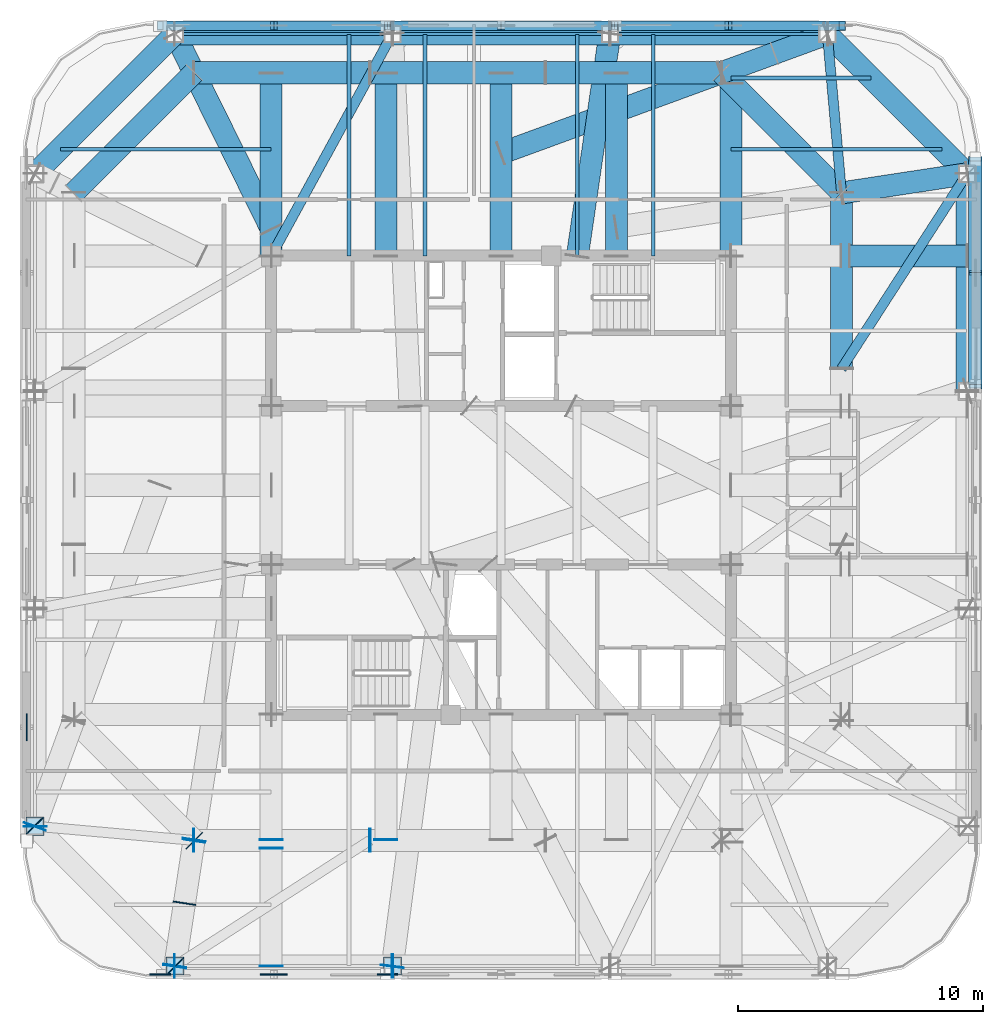
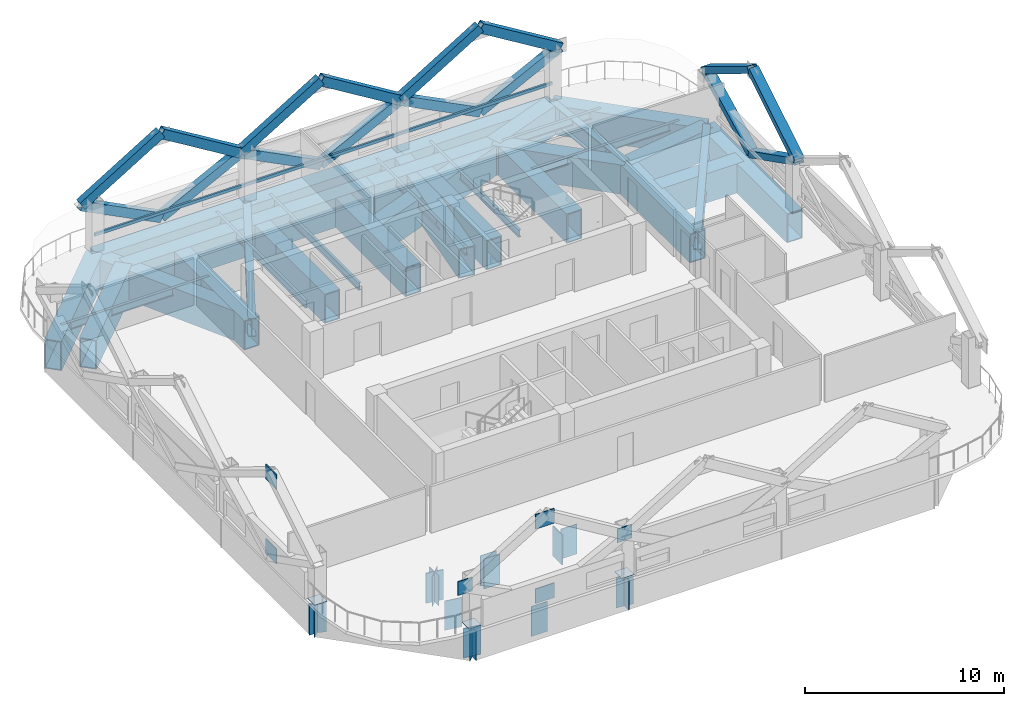
# One storey, part 3 of 11: 33 beams, 30 plates, 17 members.
"""IFC4 building model written with IfcOpenShell, lengths in metres."""

from ifc_helpers import new_model, si_unit, direction, frame, origin, origin_2d, place, context, subcontext, project, spatial, rectangle, hollow_rectangle, i_section, extrude, material, layer, layer_set, material_profile, profile_set, type_object, element, save


model = new_model("IFC4")

# Units and contexts
model_context = context("Model", 3, precision=1e-05, world=origin(), true_north=direction((0.0, 1.0)))
body_context = subcontext(model_context, "Body", "Model", "MODEL_VIEW")
ifc_project = project(units=[si_unit("LENGTHUNIT", "METRE"), si_unit("AREAUNIT", "SQUARE_METRE"), si_unit("VOLUMEUNIT", "CUBIC_METRE"), si_unit("PLANEANGLEUNIT", "RADIAN"), si_unit("MASSUNIT", "GRAM", prefix="KILO")], contexts=[model_context])

# Site, building, storey
site_placement = place(None, origin())
site = spatial("IfcSite", under=ifc_project, at=site_placement, CompositionType="ELEMENT")
building_placement = place(site_placement, origin())
building = spatial("IfcBuilding", under=site, at=building_placement, Name="Qhalaya Broadcast Tower", CompositionType="ELEMENT")
storey_placement = place(building_placement, frame((0.0, 0.0, 199.5)))
storey = spatial("IfcBuildingStorey", under=building, at=storey_placement, Name="L58", CompositionType="ELEMENT", Elevation=199.5)

# Beams
ifc_material_1 = material(Name="Structural Steel ASTM A572 Grade 50", Category="steel")
ifc_material_profile_1 = material_profile(ifc_material_1, hollow_rectangle(XDim=0.89990234375, YDim=1.800048828125, WallThickness=0.06005859375, at=origin_2d()), Name="BOX 900x1800x60")
ifc_profile_set_1 = profile_set([ifc_material_profile_1], Name="Structural Steel ASTM A572 Grade 50")
beam_type_1 = type_object("IfcBeamType", Name="Block Cantilever Transfer Box Girder TG1", PredefinedType="USERDEFINED", material=ifc_profile_set_1)
beam_1_placement = place(storey_placement, frame((19.0, 4.433349609375, -1.090087890625), z_axis=(0.0, 1.0, 0.0), x_axis=(-1.0, 0.0, 0.0)))
element("IfcBeam", 1, at=beam_1_placement, inside=storey, type_object=beam_type_1, Name="L58 TG1 L58-SPR-07", ObjectType="GIRDER", PredefinedType="USERDEFINED", context=body_context, shape_type="SweptSolid", body=[
    extrude(hollow_rectangle(XDim=0.89990234375, YDim=1.800048828125, WallThickness=0.06005859375, at=origin_2d()), origin(), (0.0, 0.0, 1.0), 8.86669921875),
])
beam_2_placement = place(storey_placement, frame((19.0, 13.300048828125, -1.090087890625), z_axis=(-0.707106781187, 0.707106781187, 0.0), x_axis=(-0.707106781187, -0.707106781187, 0.0)))
element("IfcBeam", 2, at=beam_2_placement, inside=storey, type_object=beam_type_1, Name="L58 TG1 L58-SPR-08", ObjectType="GIRDER", PredefinedType="USERDEFINED", context=body_context, shape_type="SweptSolid", body=[
    extrude(hollow_rectangle(XDim=0.89990234375, YDim=1.800048828125, WallThickness=0.06005859375, at=origin_2d()), origin(), (0.0, 0.0, 1.0), 8.06103515625),
])
for number, where, z_axis, x_axis, name in (
    (3, (13.300048828125, 19.0, -1.090087890625), (-1.0, 0.0, 0.0), (0.0, -1.0, 0.0), "L58 TG1 L58-SPR-09"),
    (4, (4.433349609375, 19.0, -1.090087890625), (-1.0, 0.0, 0.0), (0.0, -1.0, 0.0), "L58 TG1 L58-SPR-10"),
    (5, (-4.433349609375, 19.0, -1.090087890625), (-1.0, 0.0, 0.0), (0.0, -1.0, 0.0), "L58 TG1 L58-SPR-11"),
):
    element("IfcBeam", number, at=place(storey_placement, frame(where, z_axis=z_axis, x_axis=x_axis)), inside=storey, type_object=beam_type_1, Name=name, ObjectType="GIRDER", PredefinedType="USERDEFINED", context=body_context, shape_type="SweptSolid", body=[
        extrude(hollow_rectangle(XDim=0.89990234375, YDim=1.800048828125, WallThickness=0.06005859375, at=origin_2d()), origin(), (0.0, 0.0, 1.0), 8.86669921875),
    ])
beam_3_placement = place(storey_placement, frame((-13.300048828125, 19.0, -1.090087890625), z_axis=(-0.707106781187, -0.707106781187, 0.0), x_axis=(0.707106781187, -0.707106781187, 0.0)))
element("IfcBeam", 6, at=beam_3_placement, inside=storey, type_object=beam_type_1, Name="L58 TG1 L58-SPR-12", ObjectType="GIRDER", PredefinedType="USERDEFINED", context=body_context, shape_type="SweptSolid", body=[
    extrude(hollow_rectangle(XDim=0.89990234375, YDim=1.800048828125, WallThickness=0.06005859375, at=origin_2d()), origin(), (0.0, 0.0, 1.0), 8.06103515625),
])
beam_4_placement = place(storey_placement, frame((13.8798828125, 5.353271484375, -1.090087890625), z_axis=(0.0, 1.0, 0.0), x_axis=(-1.0, 0.0, 0.0)))
element("IfcBeam", 7, at=beam_4_placement, inside=storey, type_object=beam_type_1, Name="L58 TG1 L58-TGL-07", ObjectType="GIRDER", PredefinedType="USERDEFINED", context=body_context, shape_type="SweptSolid", body=[
    extrude(hollow_rectangle(XDim=0.89990234375, YDim=1.800048828125, WallThickness=0.06005859375, at=origin_2d()), origin(), (0.0, 0.0, 1.0), 7.166748046875),
])
beam_5_placement = place(storey_placement, frame((13.8798828125, 12.52001953125, -1.090087890625), z_axis=(-0.707106781187, 0.707106781187, 0.0), x_axis=(-0.707106781187, -0.707106781187, 0.0)))
element("IfcBeam", 8, at=beam_5_placement, inside=storey, type_object=beam_type_1, Name="L58 TG1 L58-TGL-08", ObjectType="GIRDER", PredefinedType="USERDEFINED", context=body_context, shape_type="SweptSolid", body=[
    extrude(hollow_rectangle(XDim=0.89990234375, YDim=1.800048828125, WallThickness=0.06005859375, at=origin_2d()), origin(), (0.0, 0.0, 1.0), 6.929443359375),
])
beam_6_placement = place(storey_placement, frame((8.97998046875, 17.419921875, -1.090087890625), z_axis=(-1.0, 0.0, 0.0), x_axis=(0.0, -1.0, 0.0)))
element("IfcBeam", 9, at=beam_6_placement, inside=storey, type_object=beam_type_1, Name="L58 TG1 L58-TGL-09", ObjectType="GIRDER", PredefinedType="USERDEFINED", context=body_context, shape_type="SweptSolid", body=[
    extrude(hollow_rectangle(XDim=0.89990234375, YDim=1.800048828125, WallThickness=0.06005859375, at=origin_2d()), origin(), (0.0, 0.0, 1.0), 7.166748046875),
])
beam_7_placement = place(storey_placement, frame((1.813232421875, 17.419921875, -1.090087890625), z_axis=(-1.0, 0.0, 0.0), x_axis=(0.0, -1.0, 0.0)))
element("IfcBeam", 10, at=beam_7_placement, inside=storey, type_object=beam_type_1, Name="L58 TG1 L58-TGL-10", ObjectType="GIRDER", PredefinedType="USERDEFINED", context=body_context, shape_type="SweptSolid", body=[
    extrude(hollow_rectangle(XDim=0.89990234375, YDim=1.800048828125, WallThickness=0.06005859375, at=origin_2d()), origin(), (0.0, 0.0, 1.0), 7.16650390625),
])
beam_8_placement = place(storey_placement, frame((-5.353271484375, 17.419921875, -1.090087890625), z_axis=(-1.0, 0.0, 0.0), x_axis=(0.0, -1.0, 0.0)))
element("IfcBeam", 11, at=beam_8_placement, inside=storey, type_object=beam_type_1, Name="L58 TG1 L58-TGL-11", ObjectType="GIRDER", PredefinedType="USERDEFINED", context=body_context, shape_type="SweptSolid", body=[
    extrude(hollow_rectangle(XDim=0.89990234375, YDim=1.800048828125, WallThickness=0.06005859375, at=origin_2d()), origin(), (0.0, 0.0, 1.0), 7.166748046875),
])
beam_9_placement = place(storey_placement, frame((-12.52001953125, 17.419921875, -1.090087890625), z_axis=(-0.707106781187, -0.707106781187, 0.0), x_axis=(0.707106781187, -0.707106781187, 0.0)))
element("IfcBeam", 12, at=beam_9_placement, inside=storey, type_object=beam_type_1, Name="L58 TG1 L58-TGL-12", ObjectType="GIRDER", PredefinedType="USERDEFINED", context=body_context, shape_type="SweptSolid", body=[
    extrude(hollow_rectangle(XDim=0.89990234375, YDim=1.800048828125, WallThickness=0.06005859375, at=origin_2d()), origin(), (0.0, 0.0, 1.0), 6.929443359375),
])
beam_10_placement = place(storey_placement, frame((-9.375, 9.949951171875, -1.090087890625), z_axis=(0.0, 1.0, 0.0), x_axis=(-1.0, 0.0, 0.0)))
element("IfcBeam", 13, at=beam_10_placement, inside=storey, type_object=beam_type_1, Name="L58 TG1 L58-TGINW-1", ObjectType="GIRDER", PredefinedType="USERDEFINED", context=body_context, shape_type="SweptSolid", body=[
    extrude(hollow_rectangle(XDim=0.89990234375, YDim=1.800048828125, WallThickness=0.06005859375, at=origin_2d()), origin(), (0.0, 0.0, 1.0), 7.429931640625),
])
beam_11_placement = place(storey_placement, frame((9.375, 9.949951171875, -1.090087890625), z_axis=(0.0, 1.0, 0.0), x_axis=(-1.0, 0.0, 0.0)))
element("IfcBeam", 14, at=beam_11_placement, inside=storey, type_object=beam_type_1, Name="L58 TG1 L58-TGINE-1", ObjectType="GIRDER", PredefinedType="USERDEFINED", context=body_context, shape_type="SweptSolid", body=[
    extrude(hollow_rectangle(XDim=0.89990234375, YDim=1.800048828125, WallThickness=0.06005859375, at=origin_2d()), origin(), (0.0, 0.0, 1.0), 7.0185546875),
])
for number, where, z_axis, x_axis, name in (
    (15, (0.0, 9.949951171875, -1.090087890625), (0.0, 1.0, 0.0), (-1.0, 0.0, 0.0), "L58 TG1 L58-TGIMN-1"),
    (16, (-4.699951171875, 9.949951171875, -1.090087890625), (0.0, 1.0, 0.0), (-1.0, 0.0, 0.0), "L58 TG1 L58-TGIMNW-1"),
    (17, (4.699951171875, 9.949951171875, -1.090087890625), (0.0, 1.0, 0.0), (-1.0, 0.0, 0.0), "L58 TG1 L58-TGIMNE-1"),
):
    element("IfcBeam", number, at=place(storey_placement, frame(where, z_axis=z_axis, x_axis=x_axis)), inside=storey, type_object=beam_type_1, Name=name, ObjectType="GIRDER", PredefinedType="USERDEFINED", context=body_context, shape_type="SweptSolid", body=[
        extrude(hollow_rectangle(XDim=0.89990234375, YDim=1.800048828125, WallThickness=0.06005859375, at=origin_2d()), origin(), (0.0, 0.0, 1.0), 7.429931640625),
    ])
beam_12_placement = place(storey_placement, frame((13.8798828125, 12.52001953125, -1.090087890625), z_axis=(0.988593523032, 0.150608254153, 0.0), x_axis=(-0.150608254153, 0.988593523032, 0.0)))
element("IfcBeam", 18, at=beam_12_placement, inside=storey, type_object=beam_type_1, Name="L58 Cantilever Transfer Box Girder 08", ObjectType="GIRDER", PredefinedType="USERDEFINED", context=body_context, shape_type="SweptSolid", body=[
    extrude(hollow_rectangle(XDim=0.89990234375, YDim=1.800048828125, WallThickness=0.06005859375, at=origin_2d()), origin(), (0.0, 0.0, 1.0), 5.17919921875),
])
beam_13_placement = place(storey_placement, frame((0.0, 14.135498046875, -1.090087890625), z_axis=(0.939154396004, 0.343495299044, 0.0), x_axis=(-0.343495299044, 0.939154396004, 0.0)))
element("IfcBeam", 19, at=beam_13_placement, inside=storey, type_object=beam_type_1, Name="L58 Collinear Back-Span Transfer Box Girder 09", ObjectType="GIRDER", PredefinedType="USERDEFINED", context=body_context, shape_type="SweptSolid", body=[
    extrude(hollow_rectangle(XDim=0.89990234375, YDim=1.800048828125, WallThickness=0.06005859375, at=origin_2d()), origin(), (0.0, 0.0, 1.0), 9.561767578125),
])
beam_14_placement = place(storey_placement, frame((8.97998046875, 17.419921875, -1.090087890625), z_axis=(0.939153339808, 0.343498186789, 0.0), x_axis=(-0.343498186789, 0.939153339808, 0.0)))
element("IfcBeam", 20, at=beam_14_placement, inside=storey, type_object=beam_type_1, Name="L58 Cantilever Transfer Box Girder 09", ObjectType="GIRDER", PredefinedType="USERDEFINED", context=body_context, shape_type="SweptSolid", body=[
    extrude(hollow_rectangle(XDim=0.89990234375, YDim=1.800048828125, WallThickness=0.06005859375, at=origin_2d()), origin(), (0.0, 0.0, 1.0), 4.599853515625),
])
beam_15_placement = place(storey_placement, frame((3.109619140625, 9.949951171875, -1.090087890625), z_axis=(0.144727791939, 0.989471508554, 0.0), x_axis=(-0.989471508554, 0.144727791939, 0.0)))
element("IfcBeam", 21, at=beam_15_placement, inside=storey, type_object=beam_type_1, Name="L58 Continuous Cantilever Transfer Box Girder 10", ObjectType="GIRDER", PredefinedType="USERDEFINED", context=body_context, shape_type="SweptSolid", body=[
    extrude(hollow_rectangle(XDim=0.89990234375, YDim=1.800048828125, WallThickness=0.06005859375, at=origin_2d()), origin(), (0.0, 0.0, 1.0), 9.146240234375),
])
beam_16_placement = place(storey_placement, frame((-9.375, 11.04931640625, -1.090087890625), z_axis=(-0.442670174981, 0.896684513183, 0.0), x_axis=(-0.896684513183, -0.442670174981, 0.0)))
element("IfcBeam", 22, at=beam_16_placement, inside=storey, type_object=beam_type_1, Name="L58 Continuous Cantilever Transfer Box Girder 12", ObjectType="GIRDER", PredefinedType="USERDEFINED", context=body_context, shape_type="SweptSolid", body=[
    extrude(hollow_rectangle(XDim=0.89990234375, YDim=1.800048828125, WallThickness=0.06005859375, at=origin_2d()), origin(), (0.0, 0.0, 1.0), 8.86669921875),
])
beam_17_placement = place(storey_placement, frame((14.219970703125, 9.949951171875, -1.090087890625), z_axis=(1.0, 0.0, 0.0), x_axis=(0.0, 1.0, 0.0)))
element("IfcBeam", 23, at=beam_17_placement, inside=storey, type_object=beam_type_1, Name="L58 TG1 L58-PGYE4-OV1", ObjectType="GIRDER", PredefinedType="USERDEFINED", context=body_context, shape_type="SweptSolid", body=[
    extrude(hollow_rectangle(XDim=0.89990234375, YDim=1.800048828125, WallThickness=0.06005859375, at=origin_2d()), origin(), (0.0, 0.0, 1.0), 4.760009765625),
])
ifc_material_2 = material(Name="Structural Steel ASTM A992 Grade 50", Category="steel")
ifc_material_profile_2 = material_profile(ifc_material_2, i_section(OverallWidth=0.154052734375, OverallDepth=0.458984375, WebThickness=0.009033203125, FlangeThickness=0.015380859375, at=origin_2d()), Name="W18X46")
ifc_profile_set_2 = profile_set([ifc_material_profile_2], Name="Structural Steel ASTM A992 Grade 50")
beam_type_2 = type_object("IfcBeamType", Name="Composite Floor Joist J04", PredefinedType="JOIST", material=ifc_profile_set_2)
for number, where, z_axis, x_axis, name in (
    (24, (-6.199951171875, 9.949951171875, -0.41943359375), (0.0, 1.0, 0.0), (-1.0, 0.0, 0.0), "L58 J04 L58-JNN1-1"),
    (25, (-3.10009765625, 9.949951171875, -0.41943359375), (0.0, 1.0, 0.0), (-1.0, 0.0, 0.0), "L58 J04 L58-JNN2-1"),
    (26, (3.10009765625, 9.949951171875, -0.41943359375), (0.0, 1.0, 0.0), (-1.0, 0.0, 0.0), "L58 J04 L58-JNN4-1"),
    (27, (6.199951171875, 9.949951171875, -0.41943359375), (0.0, 1.0, 0.0), (-1.0, 0.0, 0.0), "L58 J04 L58-JNN5-1"),
):
    element("IfcBeam", number, at=place(storey_placement, frame(where, z_axis=z_axis, x_axis=x_axis)), inside=storey, type_object=beam_type_2, Name=name, PredefinedType="JOIST", context=body_context, shape_type="SweptSolid", body=[
        extrude(i_section(OverallWidth=0.154052734375, OverallDepth=0.458984375, WebThickness=0.009033203125, FlangeThickness=0.015380859375, at=origin_2d()), origin(), (0.0, 0.0, 1.0), 9.030029296875),
    ])
for number, where, z_axis, x_axis, name in (
    (28, (-17.9716796875, 14.300048828125, -0.41943359375), (1.0, 0.0, 0.0), (0.0, 1.0, 0.0), "L58 J04 L58-JWE6W-1"),
    (29, (9.375, 14.300048828125, -0.41943359375), (1.0, 0.0, 0.0), (0.0, 1.0, 0.0), "L58 J04 L58-JWE6E-1"),
):
    element("IfcBeam", number, at=place(storey_placement, frame(where, z_axis=z_axis, x_axis=x_axis)), inside=storey, type_object=beam_type_2, Name=name, PredefinedType="JOIST", context=body_context, shape_type="SweptSolid", body=[
        extrude(i_section(OverallWidth=0.154052734375, OverallDepth=0.458984375, WebThickness=0.009033203125, FlangeThickness=0.015380859375, at=origin_2d()), origin(), (0.0, 0.0, 1.0), 8.5966796875),
    ])
beam_18_placement = place(storey_placement, frame((9.375, 17.199951171875, -0.41943359375), z_axis=(1.0, 0.0, 0.0), x_axis=(0.0, 1.0, 0.0)))
element("IfcBeam", 30, at=beam_18_placement, inside=storey, type_object=beam_type_2, Name="L58 J04 L58-JWE7E-1", PredefinedType="JOIST", context=body_context, shape_type="SweptSolid", body=[
    extrude(i_section(OverallWidth=0.154052734375, OverallDepth=0.458984375, WebThickness=0.009033203125, FlangeThickness=0.015380859375, at=origin_2d()), origin(), (0.0, 0.0, 1.0), 5.69677734375),
])

# Members
ifc_material_profile_3 = material_profile(ifc_material_1, hollow_rectangle(XDim=0.3798828125, YDim=0.550048828125, WallThickness=0.02490234375, at=origin_2d()), Name="BOX 380x550x25")
ifc_profile_set_3 = profile_set([ifc_material_profile_3], Name="Structural Steel ASTM A572 Grade 50")
member_type_1 = type_object("IfcMemberType", Name="Exoskeleton Diamond Diagonal Upper EX4", PredefinedType="BRACE", material=ifc_profile_set_3)
for number, where, z_axis, x_axis, name in (
    (31, (19.340087890625, 9.2666015625, 0.360107421875), (0.0, -0.892235092116, 0.451571190841), (0.0, 0.451571190841, 0.892235092116), "B5 Exoskeleton Diamond Brace E3-D1"),
    (32, (19.340087890625, 9.2666015625, 0.360107421875), (0.0, 0.892235092116, 0.451571190841), (0.0, -0.451571190841, 0.892235092116), "B5 Exoskeleton Diamond Brace E3-D2"),
):
    element("IfcMember", number, at=place(storey_placement, frame(where, z_axis=z_axis, x_axis=x_axis)), inside=storey, type_object=member_type_1, Name=name, PredefinedType="BRACE", context=body_context, shape_type="SweptSolid", body=[
        extrude(hollow_rectangle(XDim=0.3798828125, YDim=0.550048828125, WallThickness=0.02490234375, at=origin_2d()), origin(), (0.0, 0.0, 1.0), 5.19287109375),
    ])
for number, where, z_axis, x_axis, name in (
    (33, (19.340087890625, 4.63330078125, 2.705078125), (0.0, 0.853815197337, 0.520576227652), (0.0, -0.520576227652, 0.853815197337), "B5 Exoskeleton Diamond Brace E3-D3"),
    (34, (19.340087890625, 13.89990234375, 2.705078125), (0.0, -0.853815197337, 0.520576227652), (0.0, 0.520576227652, 0.853815197337), "B5 Exoskeleton Diamond Brace E3-D4"),
):
    element("IfcMember", number, at=place(storey_placement, frame(where, z_axis=z_axis, x_axis=x_axis)), inside=storey, type_object=member_type_1, Name=name, PredefinedType="BRACE", context=body_context, shape_type="SweptSolid", body=[
        extrude(hollow_rectangle(XDim=0.3798828125, YDim=0.550048828125, WallThickness=0.02490234375, at=origin_2d()), origin(), (0.0, 0.0, 1.0), 5.426513671875),
    ])
for number, where, z_axis, x_axis, name in (
    (35, (9.2666015625, 19.340087890625, 0.360107421875), (0.892235092116, 0.0, 0.451571190841), (0.0, 1.0, 0.0), "B5 Exoskeleton Diamond Brace N1-D1"),
    (36, (9.2666015625, 19.340087890625, 0.360107421875), (-0.892235092116, 0.0, 0.451571190841), (0.0, -1.0, 0.0), "B5 Exoskeleton Diamond Brace N1-D2"),
):
    element("IfcMember", number, at=place(storey_placement, frame(where, z_axis=z_axis, x_axis=x_axis)), inside=storey, type_object=member_type_1, Name=name, PredefinedType="BRACE", context=body_context, shape_type="SweptSolid", body=[
        extrude(hollow_rectangle(XDim=0.3798828125, YDim=0.550048828125, WallThickness=0.02490234375, at=origin_2d()), origin(), (0.0, 0.0, 1.0), 5.19287109375),
    ])
for number, where, z_axis, x_axis, name in (
    (37, (13.89990234375, 19.340087890625, 2.705078125), (-0.853815197337, 0.0, 0.520576227652), (0.0, -1.0, 0.0), "B5 Exoskeleton Diamond Brace N1-D3"),
    (38, (4.63330078125, 19.340087890625, 2.705078125), (0.853815197337, 0.0, 0.520576227652), (0.0, 1.0, 0.0), "B5 Exoskeleton Diamond Brace N1-D4"),
):
    element("IfcMember", number, at=place(storey_placement, frame(where, z_axis=z_axis, x_axis=x_axis)), inside=storey, type_object=member_type_1, Name=name, PredefinedType="BRACE", context=body_context, shape_type="SweptSolid", body=[
        extrude(hollow_rectangle(XDim=0.3798828125, YDim=0.550048828125, WallThickness=0.02490234375, at=origin_2d()), origin(), (0.0, 0.0, 1.0), 5.426513671875),
    ])
for number, where, z_axis, x_axis, name in (
    (39, (0.0, 19.340087890625, 0.360107421875), (0.892235092116, 0.0, 0.451571190841), (0.0, 1.0, 0.0), "B5 Exoskeleton Diamond Brace N2-D1"),
    (40, (0.0, 19.340087890625, 0.360107421875), (-0.892235092116, 0.0, 0.451571190841), (0.0, -1.0, 0.0), "B5 Exoskeleton Diamond Brace N2-D2"),
):
    element("IfcMember", number, at=place(storey_placement, frame(where, z_axis=z_axis, x_axis=x_axis)), inside=storey, type_object=member_type_1, Name=name, PredefinedType="BRACE", context=body_context, shape_type="SweptSolid", body=[
        extrude(hollow_rectangle(XDim=0.3798828125, YDim=0.550048828125, WallThickness=0.02490234375, at=origin_2d()), origin(), (0.0, 0.0, 1.0), 5.19287109375),
    ])
for number, where, z_axis, x_axis, name in (
    (41, (4.63330078125, 19.340087890625, 2.705078125), (-0.853815197337, 0.0, 0.520576227652), (0.0, -1.0, 0.0), "B5 Exoskeleton Diamond Brace N2-D3"),
    (42, (-4.63330078125, 19.340087890625, 2.705078125), (0.853815197337, 0.0, 0.520576227652), (0.0, 1.0, 0.0), "B5 Exoskeleton Diamond Brace N2-D4"),
):
    element("IfcMember", number, at=place(storey_placement, frame(where, z_axis=z_axis, x_axis=x_axis)), inside=storey, type_object=member_type_1, Name=name, PredefinedType="BRACE", context=body_context, shape_type="SweptSolid", body=[
        extrude(hollow_rectangle(XDim=0.3798828125, YDim=0.550048828125, WallThickness=0.02490234375, at=origin_2d()), origin(), (0.0, 0.0, 1.0), 5.426513671875),
    ])
for number, where, z_axis, x_axis, name in (
    (43, (-9.2666015625, 19.340087890625, 0.360107421875), (0.892235092116, 0.0, 0.451571190841), (0.0, 1.0, 0.0), "B5 Exoskeleton Diamond Brace N3-D1"),
    (44, (-9.2666015625, 19.340087890625, 0.360107421875), (-0.892235092116, 0.0, 0.451571190841), (0.0, -1.0, 0.0), "B5 Exoskeleton Diamond Brace N3-D2"),
):
    element("IfcMember", number, at=place(storey_placement, frame(where, z_axis=z_axis, x_axis=x_axis)), inside=storey, type_object=member_type_1, Name=name, PredefinedType="BRACE", context=body_context, shape_type="SweptSolid", body=[
        extrude(hollow_rectangle(XDim=0.3798828125, YDim=0.550048828125, WallThickness=0.02490234375, at=origin_2d()), origin(), (0.0, 0.0, 1.0), 5.19287109375),
    ])
for number, where, z_axis, x_axis, name in (
    (45, (-4.63330078125, 19.340087890625, 2.705078125), (-0.853815197337, 0.0, 0.520576227652), (0.0, -1.0, 0.0), "B5 Exoskeleton Diamond Brace N3-D3"),
    (46, (-13.89990234375, 19.340087890625, 2.705078125), (0.853815197337, 0.0, 0.520576227652), (0.0, 1.0, 0.0), "B5 Exoskeleton Diamond Brace N3-D4"),
):
    element("IfcMember", number, at=place(storey_placement, frame(where, z_axis=z_axis, x_axis=x_axis)), inside=storey, type_object=member_type_1, Name=name, PredefinedType="BRACE", context=body_context, shape_type="SweptSolid", body=[
        extrude(hollow_rectangle(XDim=0.3798828125, YDim=0.550048828125, WallThickness=0.02490234375, at=origin_2d()), origin(), (0.0, 0.0, 1.0), 5.426513671875),
    ])
ifc_material_3 = material(Name="Fired Architectural Terracotta", Category="masonry")
ifc_material_profile_4 = material_profile(ifc_material_3, hollow_rectangle(XDim=0.110107421875, YDim=0.179931640625, WallThickness=0.01806640625, at=origin_2d()), Name="TB-BAG 110x180x18")
ifc_profile_set_4 = profile_set([ifc_material_profile_4], Name="Fired Architectural Terracotta")
member_type_2 = type_object("IfcMemberType", Name="Fired Terracotta Facade Baguette Member TB1", PredefinedType="USERDEFINED", material=ifc_profile_set_4)
member_placement = place(storey_placement, frame((13.300048828125, 19.0, 0.85791015625), z_axis=(-1.0, 0.0, 0.0), x_axis=(0.0, -1.0, 0.0)))
element("IfcMember", 47, at=member_placement, inside=storey, type_object=member_type_2, Name="L58 Terracotta Baguette Feature Rail N", ObjectType="BAGUETTE", PredefinedType="USERDEFINED", context=body_context, shape_type="SweptSolid", body=[
    extrude(hollow_rectangle(XDim=0.110107421875, YDim=0.179931640625, WallThickness=0.01806640625, at=origin_2d()), origin(), (0.0, 0.0, 1.0), 26.60009765625),
])

# Beams
ifc_material_profile_5 = material_profile(ifc_material_2, i_section(OverallWidth=0.404052734375, OverallDepth=1.117919921875, WebThickness=0.026123046875, FlangeThickness=0.044921875, at=origin_2d()), Name="W44X335")
ifc_profile_set_5 = profile_set([ifc_material_profile_5], Name="Structural Steel ASTM A992 Grade 50")
beam_type_3 = type_object("IfcBeamType", Name="Podium Long-Span Primary Girder PG1", PredefinedType="USERDEFINED", material=ifc_profile_set_5)
beam_19_placement = place(storey_placement, frame((13.8798828125, 5.353271484375, -0.7490234375), z_axis=(0.541616176487, 0.840625908099, 0.0), x_axis=(-0.840625908099, 0.541616176487, 0.0)))
element("IfcBeam", 48, at=beam_19_placement, inside=storey, type_object=beam_type_3, Name="L58 Column-to-Column Moment Tie Girder 08-2", ObjectType="GIRDER", PredefinedType="USERDEFINED", context=body_context, shape_type="SweptSolid", body=[
    extrude(i_section(OverallWidth=0.404052734375, OverallDepth=1.117919921875, WebThickness=0.026123046875, FlangeThickness=0.044921875, at=origin_2d()), origin(), (0.0, 0.0, 1.0), 9.453369140625),
])
beam_20_placement = place(storey_placement, frame((13.8798828125, 12.52001953125, -0.7490234375), z_axis=(-0.089124731479, 0.996020472801, 0.0), x_axis=(-0.996020472801, -0.089124731479, 0.0)))
element("IfcBeam", 49, at=beam_20_placement, inside=storey, type_object=beam_type_3, Name="L58 Column-to-Column Moment Tie Girder 09-2", ObjectType="GIRDER", PredefinedType="USERDEFINED", context=body_context, shape_type="SweptSolid", body=[
    extrude(i_section(OverallWidth=0.404052734375, OverallDepth=1.117919921875, WebThickness=0.026123046875, FlangeThickness=0.044921875, at=origin_2d()), origin(), (0.0, 0.0, 1.0), 6.505859375),
])
beam_21_placement = place(storey_placement, frame((-9.375, 9.949951171875, -0.7490234375), z_axis=(0.479245240756, 0.877681035008, 0.0), x_axis=(-0.877681035008, 0.479245240756, 0.0)))
element("IfcBeam", 50, at=beam_21_placement, inside=storey, type_object=beam_type_3, Name="L58 Column-to-Column Moment Tie Girder 11-1", ObjectType="GIRDER", PredefinedType="USERDEFINED", context=body_context, shape_type="SweptSolid", body=[
    extrude(i_section(OverallWidth=0.404052734375, OverallDepth=1.117919921875, WebThickness=0.026123046875, FlangeThickness=0.044921875, at=origin_2d()), origin(), (0.0, 0.0, 1.0), 10.311279296875),
])

# Plates
ifc_layer_1 = layer(ifc_material_1, 0.054931640625, Name="Structural Steel ASTM A572 Grade 50")
ifc_layer_set_1 = layer_set([ifc_layer_1], Name="Structural Steel ASTM A572 Grade 50")
plate_type_1 = type_object("IfcPlateType", Name="Exoskeleton Diamond Node Gusset Plate NP-01", PredefinedType="USERDEFINED", material=ifc_layer_set_1)
for number, where, z_axis, x_axis, name in (
    (51, (-9.2666015625, -19.340087890625, 0.2099609375), (0.0, 0.0, 1.0), (1.0, 0.0, 0.0), "Exoskeleton Diamond Node B5-S1-BOT"),
    (52, (-9.2666015625, -19.340087890625, 4.780029296875), (0.0, 0.0, 1.0), (1.0, 0.0, 0.0), "Exoskeleton Diamond Node B5-S1-TOP"),
):
    element("IfcPlate", number, at=place(storey_placement, frame(where, z_axis=z_axis, x_axis=x_axis)), inside=storey, type_object=plate_type_1, Name=name, ObjectType="GUSSET_PLATE", PredefinedType="USERDEFINED", context=body_context, shape_type="SweptSolid", body=[
        extrude(rectangle(XDim=1.10009765625, YDim=0.054931640625, at=origin_2d()), origin(), (0.0, 0.0, 1.0), 0.89990234375),
    ])
for number, where, z_axis, x_axis, name in (
    (53, (-13.89990234375, -19.340087890625, 2.280029296875), (0.0, 0.0, 1.0), (1.0, 0.0, 0.0), "Exoskeleton Diamond Node B5-S1-MDL"),
    (54, (-4.63330078125, -19.340087890625, 2.280029296875), (0.0, 0.0, 1.0), (1.0, 0.0, 0.0), "Exoskeleton Diamond Node B5-S2-MDL"),
):
    element("IfcPlate", number, at=place(storey_placement, frame(where, z_axis=z_axis, x_axis=x_axis)), inside=storey, type_object=plate_type_1, Name=name, ObjectType="GUSSET_PLATE", PredefinedType="USERDEFINED", context=body_context, shape_type="SweptSolid", body=[
        extrude(rectangle(XDim=0.85009765625, YDim=0.054931640625, at=origin_2d()), origin(), (0.0, 0.0, 1.0), 0.85009765625),
    ])
for number, where, z_axis, x_axis, name in (
    (55, (-19.340087890625, -9.2666015625, 0.2099609375), (0.0, 0.0, 1.0), (0.0, 1.0, 0.0), "Exoskeleton Diamond Node B5-W3-BOT"),
    (56, (-19.340087890625, -9.2666015625, 4.780029296875), (0.0, 0.0, 1.0), (0.0, 1.0, 0.0), "Exoskeleton Diamond Node B5-W3-TOP"),
):
    element("IfcPlate", number, at=place(storey_placement, frame(where, z_axis=z_axis, x_axis=x_axis)), inside=storey, type_object=plate_type_1, Name=name, ObjectType="GUSSET_PLATE", PredefinedType="USERDEFINED", context=body_context, shape_type="SweptSolid", body=[
        extrude(rectangle(XDim=1.10009765625, YDim=0.054931640625, at=origin_2d()), origin(), (0.0, 0.0, 1.0), 0.89990234375),
    ])
ifc_layer_2 = layer(ifc_material_1, 0.4599609375, Name="Structural Steel ASTM A572 Grade 50")
ifc_layer_set_2 = layer_set([ifc_layer_2], Name="Structural Steel ASTM A572 Grade 50")
plate_type_2 = type_object("IfcPlateType", Name="Hollow Box Member End Cap Plate CP-01", PredefinedType="USERDEFINED", material=ifc_layer_set_2)
for number, where, z_axis, x_axis, name in (
    (57, (-13.31591796875, -19.0, -2.01025390625), (0.0, 0.0, 1.0), (0.0, 1.0, 0.0), "L58 Hollow Girder End Cap L58-SPR-01-A"),
    (58, (-4.417236328125, -19.0, -2.01025390625), (0.0, 0.0, 1.0), (0.0, 1.0, 0.0), "L58 Hollow Girder End Cap L58-SPR-01-B"),
    (59, (-4.44921875, -19.0, -2.01025390625), (0.0, 0.0, 1.0), (0.0, 1.0, 0.0), "L58 Hollow Girder End Cap L58-SPR-02-A"),
    (60, (-19.0, -13.31591796875, -2.01025390625), (0.0, 0.0, 1.0), (1.0, 0.0, 0.0), "L58 Hollow Girder End Cap L58-SPR-15-B"),
    (61, (-19.01123046875, -13.288818359375, -2.01025390625), (0.0, 0.0, 1.0), (0.707106781187, 0.707106781187, 0.0), "L58 Hollow Girder End Cap L58-SPR-16-A"),
    (62, (-13.288818359375, -19.01123046875, -2.01025390625), (0.0, 0.0, 1.0), (0.707106781187, 0.707106781187, 0.0), "L58 Hollow Girder End Cap L58-SPR-16-B"),
    (63, (-12.535888671875, -13.8798828125, -2.01025390625), (0.0, 0.0, 1.0), (0.0, 1.0, 0.0), "L58 Hollow Girder End Cap L58-TGL-01-A"),
    (64, (-5.33740234375, -13.8798828125, -2.01025390625), (0.0, 0.0, 1.0), (0.0, 1.0, 0.0), "L58 Hollow Girder End Cap L58-TGL-01-B"),
    (65, (-5.369384765625, -13.8798828125, -2.01025390625), (0.0, 0.0, 1.0), (0.0, 1.0, 0.0), "L58 Hollow Girder End Cap L58-TGL-02-A"),
    (66, (-12.5087890625, -13.891357421875, -2.01025390625), (0.0, 0.0, 1.0), (0.707106781187, 0.707106781187, 0.0), "L58 Hollow Girder End Cap L58-TGL-16-B"),
    (67, (-4.699951171875, -13.85595703125, -2.01025390625), (0.0, 0.0, 1.0), (-1.0, 0.0, 0.0), "L58 Hollow Girder End Cap L58-TGIMSW-1-A"),
    (68, (-9.375, -13.85595703125, -2.01025390625), (0.0, 0.0, 1.0), (-1.0, 0.0, 0.0), "L58 Hollow Girder End Cap L58-TGISW-1-A"),
    (69, (-12.5224609375, -13.895751953125, -2.01025390625), (0.0, 0.0, 1.0), (0.988593989373, -0.150605193055, 0.0), "L58 Hollow Girder End Cap L58-TGA-01-B"),
    (70, (-12.517578125, -13.8642578125, -2.01025390625), (0.0, 0.0, 1.0), (0.988593989373, -0.150605193055, 0.0), "L58 Hollow Girder End Cap L58-TGC-01-A"),
    (71, (-13.302490234375, -19.015869140625, -2.01025390625), (0.0, 0.0, 1.0), (0.988593989373, -0.150605193055, 0.0), "L58 Hollow Girder End Cap L58-TGC-01-B"),
):
    element("IfcPlate", number, at=place(storey_placement, frame(where, z_axis=z_axis, x_axis=x_axis)), inside=storey, type_object=plate_type_2, Name=name, ObjectType="COVER_PLATE", PredefinedType="USERDEFINED", context=body_context, shape_type="SweptSolid", body=[
        extrude(rectangle(XDim=0.93994140625, YDim=0.031982421875, at=origin_2d()), origin(), (0.0, 0.0, 1.0), 1.840087890625),
    ])
plate_1_placement = place(storey_placement, frame((-13.300048828125, -19.0, -1.990234375), z_axis=(0.0, 0.0, 1.0), x_axis=(0.988593989373, -0.150605193055, 0.0)))
element("IfcPlate", 72, at=plate_1_placement, inside=storey, type_object=plate_type_2, Name="L58 Transfer Box End Cap 01", ObjectType="COVER_PLATE", PredefinedType="USERDEFINED", context=body_context, shape_type="SweptSolid", body=[
    extrude(rectangle(XDim=0.919921875, YDim=0.035888671875, at=origin_2d()), origin(), (0.0, 0.0, 1.0), 1.800048828125),
])
for number, where, z_axis, x_axis, name in (
    (73, (-4.435302734375, -19.015869140625, -2.01025390625), (0.0, 0.0, 1.0), (0.991481272505, -0.130249323499, 0.0), "L58 Hollow Girder End Cap L58-TGA-02-B"),
    (74, (-19.005615234375, -13.31494140625, -2.01025390625), (0.0, 0.0, 1.0), (0.939154217723, -0.343495786485, 0.0), "L58 Hollow Girder End Cap L58-TGC-16-B"),
    (75, (-9.375, -18.99609375, -2.01025390625), (0.0, 0.0, 1.0), (-1.0, 0.0, 0.0), "L58 Hollow Girder End Cap L58-PGXS1-OV1-A"),
    (76, (-9.375, -14.2041015625, -2.01025390625), (0.0, 0.0, 1.0), (-1.0, 0.0, 0.0), "L58 Hollow Girder End Cap L58-PGXS1-OV1-B"),
):
    element("IfcPlate", number, at=place(storey_placement, frame(where, z_axis=z_axis, x_axis=x_axis)), inside=storey, type_object=plate_type_2, Name=name, ObjectType="COVER_PLATE", PredefinedType="USERDEFINED", context=body_context, shape_type="SweptSolid", body=[
        extrude(rectangle(XDim=0.93994140625, YDim=0.031982421875, at=origin_2d()), origin(), (0.0, 0.0, 1.0), 1.840087890625),
    ])
for number, where, z_axis, x_axis, name in (
    (77, (-13.300048828125, -19.0, -0.0322265625), (0.0, 0.0, 1.0), (1.0, 0.0, 0.0), "L58 Hollow Box Column Base Cap Plate COL-EX01"),
    (78, (-4.433349609375, -19.0, -0.0322265625), (0.0, 0.0, 1.0), (1.0, 0.0, 0.0), "L58 Hollow Box Column Base Cap Plate COL-EX02"),
    (79, (-19.0, -13.300048828125, -0.0322265625), (0.0, 0.0, 1.0), (0.0, 1.0, 0.0), "L58 Hollow Box Column Base Cap Plate COL-EX16"),
):
    element("IfcPlate", number, at=place(storey_placement, frame(where, z_axis=z_axis, x_axis=x_axis)), inside=storey, type_object=plate_type_2, Name=name, ObjectType="COVER_PLATE", PredefinedType="USERDEFINED", context=body_context, shape_type="SweptSolid", body=[
        extrude(rectangle(XDim=0.739990234375, YDim=0.739990234375, at=origin_2d()), origin(), (0.0, 0.0, 1.0), 0.031982421875),
    ])
ifc_layer_3 = layer(ifc_material_1, 0.044921875, Name="Structural Steel ASTM A572 Grade 50")
ifc_layer_set_3 = layer_set([ifc_layer_3], Name="Structural Steel ASTM A572 Grade 50")
plate_type_3 = type_object("IfcPlateType", Name="Transfer Girder Web Stiffener Plate WS-01", PredefinedType="USERDEFINED", material=ifc_layer_set_3)
plate_2_placement = place(storey_placement, frame((-12.909912109375, -16.43994140625, -1.990234375), z_axis=(0.0, 0.0, 1.0), x_axis=(0.988593989373, -0.150605193055, 0.0)))
element("IfcPlate", 80, at=plate_2_placement, inside=storey, type_object=plate_type_3, Name="L58 Transfer Girder Stiffener 01", ObjectType="STIFFENER_PLATE", PredefinedType="USERDEFINED", context=body_context, shape_type="SweptSolid", body=[
    extrude(rectangle(XDim=0.93994140625, YDim=0.044921875, at=origin_2d()), origin(), (0.0, 0.0, 1.0), 1.800048828125),
])

save(model, "model.ifc")
